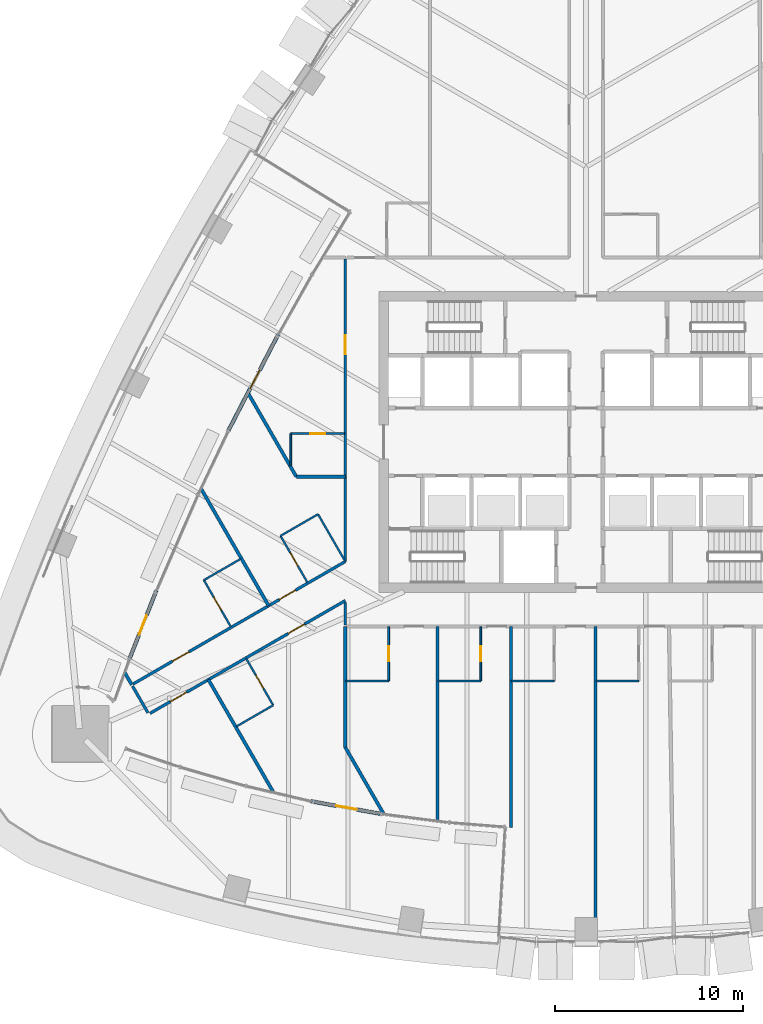
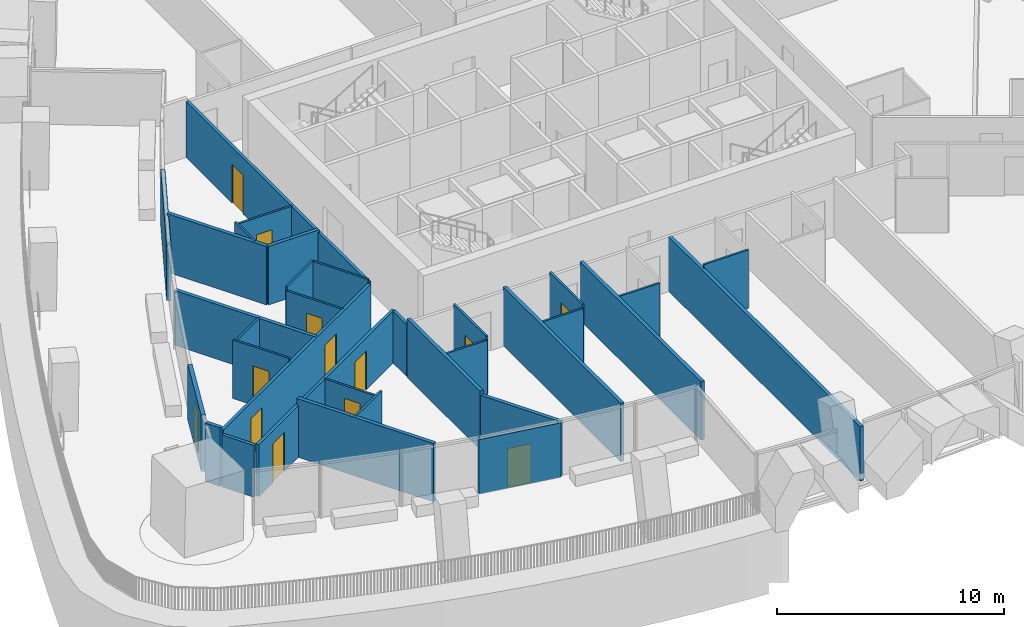
# One storey, part 14 of 24: 33 walls, 14 doors, 14 openings.
"""IFC4 building model written with IfcOpenShell, lengths in metres."""

from ifc_helpers import new_model, si_unit, direction, frame, frame_2d, origin, place, context, subcontext, project, spatial, rectangle, extrude, material, layer, layer_set, type_object, element, fill, save


model = new_model("IFC4")

# Units and contexts
model_context = context("Model", 3, precision=1e-05, world=origin(), true_north=direction((0.0, 1.0)))
body_context = subcontext(model_context, "Body", "Model", "MODEL_VIEW")
ifc_project = project(units=[si_unit("LENGTHUNIT", "METRE"), si_unit("AREAUNIT", "SQUARE_METRE"), si_unit("VOLUMEUNIT", "CUBIC_METRE"), si_unit("PLANEANGLEUNIT", "RADIAN"), si_unit("MASSUNIT", "GRAM", prefix="KILO")], contexts=[model_context])

# Site, building, storey
site_placement = place(None, origin())
site = spatial("IfcSite", under=ifc_project, at=site_placement, CompositionType="ELEMENT")
building_placement = place(site_placement, origin())
building = spatial("IfcBuilding", under=site, at=building_placement, Name="Sierra Prisma Convention Tower", CompositionType="ELEMENT")
storey_placement = place(building_placement, frame((0.0, 0.0, 59.10009765625)))
storey = spatial("IfcBuildingStorey", under=building, at=storey_placement, Name="L10", CompositionType="ELEMENT", Elevation=59.10009765625)

# Wall, opening, door
ifc_material_1 = material(Name="Gypsum board partition", Category="gypsum")
ifc_layer_1 = layer(ifc_material_1, 0.10009765625)
ifc_layer_set_1 = layer_set([ifc_layer_1], Name="Bathroom partition 100")
wall_type_1 = type_object("IfcWallType", Name="Bathroom partition 100", PredefinedType="PARTITIONING", material=ifc_layer_set_1)
wall_1_placement = place(storey_placement, frame((-18.880126953125, -9.826416015625, 0.0), z_axis=(0.0, 0.0, 1.0), x_axis=(-0.500036638401, 0.866004249561, 0.0)))
wall_1 = element("IfcWall", 1, at=wall_1_placement, inside=storey, type_object=wall_type_1, Name="Partition L10 bath 1", PredefinedType="PARTITIONING", context=body_context, shape_type="SweptSolid", body=[
    extrude(rectangle(XDim=2.869873046875, YDim=0.10009765625, at=frame_2d((1.43505859375, 0.0))), origin(), (0.0, 0.0, 1.0), 3.14990234375),
])
opening_1_placement = place(wall_1_placement, frame((1.034912109375, 0.0, 0.0)))
opening_1 = element("IfcOpeningElement", 2, at=opening_1_placement, cuts=wall_1, Name="Opening L10-D010", PredefinedType="OPENING", context=body_context, shape_type="SweptSolid", body=[
    extrude(rectangle(XDim=0.800048828125, YDim=2.10009765625, at=frame_2d((0.39990234375, 1.050048828125))), frame((0.0, 0.050048828125, 0.0), z_axis=(0.0, -1.0, 0.0), x_axis=(1.0, 0.0, 0.0)), (0.0, 0.0, 1.0), 0.10009765625),
])
ifc_material_2 = material(Name="Solid core timber door leaf", Category="wood")
door_type_1 = type_object("IfcDoorType", Name="Door 800x2100 plain", OperationType="SINGLE_SWING_LEFT", PredefinedType="DOOR", material=ifc_material_2)
door_1_placement = place(opening_1_placement, origin())
door_1 = element("IfcDoor", 3, at=door_1_placement, inside=storey, type_object=door_type_1, Name="Door L10 16", OperationType="SINGLE_SWING_RIGHT", OverallHeight=2.10009765625, OverallWidth=0.800048828125, PredefinedType="DOOR", context=body_context, shape_type="SweptSolid", body=[
    extrude(rectangle(XDim=0.800048828125, YDim=2.10009765625, at=frame_2d((0.39990234375, 1.050048828125))), frame((0.0, 0.02490234375, 0.0), z_axis=(0.0, -1.0, 0.0), x_axis=(1.0, 0.0, 0.0)), (0.0, 0.0, 1.0), 0.050048828125),
])
fill(opening_1, door_1)

# Wall
wall_2_placement = place(storey_placement, frame((-20.315185546875, -7.341064453125, 0.0), z_axis=(0.0, 0.0, 1.0), x_axis=(0.866044110172, 0.499967598186, 0.0)))
element("IfcWall", 4, at=wall_2_placement, inside=storey, type_object=wall_type_1, Name="Partition L10 bath 2", PredefinedType="PARTITIONING", context=body_context, shape_type="SweptSolid", body=[
    extrude(rectangle(XDim=2.270263671875, YDim=0.10009765625, at=frame_2d((1.13525390625, 0.0))), origin(), (0.0, 0.0, 1.0), 2.947021484375),
])

# Wall, opening, door
wall_3_placement = place(storey_placement, frame((-18.06787109375, -11.50537109375, 0.0), z_axis=(0.0, 0.0, 1.0), x_axis=(0.500036638401, -0.866004249561, 0.0)))
wall_3 = element("IfcWall", 5, at=wall_3_placement, inside=storey, type_object=wall_type_1, Name="Partition L10 bath 3", PredefinedType="PARTITIONING", context=body_context, shape_type="SweptSolid", body=[
    extrude(rectangle(XDim=2.869873046875, YDim=0.10009765625, at=frame_2d((1.43505859375, 0.0))), origin(), (0.0, 0.0, 1.0), 2.796875),
])
opening_2_placement = place(wall_3_placement, frame((1.034912109375, 0.0, 0.0)))
opening_2 = element("IfcOpeningElement", 6, at=opening_2_placement, cuts=wall_3, Name="Opening L10-D011", PredefinedType="OPENING", context=body_context, shape_type="SweptSolid", body=[
    extrude(rectangle(XDim=0.800048828125, YDim=2.10009765625, at=frame_2d((0.39990234375, 1.050048828125))), frame((0.0, 0.050048828125, 0.0), z_axis=(0.0, -1.0, 0.0), x_axis=(1.0, 0.0, 0.0)), (0.0, 0.0, 1.0), 0.10009765625),
])
door_2_placement = place(opening_2_placement, origin())
door_2 = element("IfcDoor", 7, at=door_2_placement, inside=storey, type_object=door_type_1, Name="Door L10 19", OperationType="SINGLE_SWING_RIGHT", OverallHeight=2.10009765625, OverallWidth=0.800048828125, PredefinedType="DOOR", context=body_context, shape_type="SweptSolid", body=[
    extrude(rectangle(XDim=0.800048828125, YDim=2.10009765625, at=frame_2d((0.39990234375, 1.050048828125))), frame((0.0, 0.02490234375, 0.0), z_axis=(0.0, -1.0, 0.0), x_axis=(1.0, 0.0, 0.0)), (0.0, 0.0, 1.0), 0.050048828125),
])
fill(opening_2, door_2)

# Walls
wall_4_placement = place(storey_placement, frame((-16.6328125, -13.99072265625, 0.0), z_axis=(0.0, 0.0, 1.0), x_axis=(-0.866017224141, -0.500014167291, 0.0)))
element("IfcWall", 8, at=wall_4_placement, inside=storey, type_object=wall_type_1, Name="Partition L10 bath 4", PredefinedType="PARTITIONING", context=body_context, shape_type="SweptSolid", body=[
    extrude(rectangle(XDim=2.27001953125, YDim=0.10009765625, at=frame_2d((1.135009765625, 0.0))), origin(), (0.0, 0.0, 1.0), 3.14990234375),
])
wall_5_placement = place(storey_placement, frame((-15.699951171875, -1.267822265625, 0.0), z_axis=(0.0, 0.0, 1.0), x_axis=(0.0, 1.0, 0.0)))
element("IfcWall", 9, at=wall_5_placement, inside=storey, type_object=wall_type_1, Name="Partition L10 bath 5", PredefinedType="PARTITIONING", context=body_context, shape_type="SweptSolid", body=[
    extrude(rectangle(XDim=1.717041015625, YDim=0.10009765625, at=frame_2d((0.8583984375, 0.0))), origin(), (0.0, 0.0, 1.0), 3.14990234375),
])

# Wall, opening, door
wall_6_placement = place(storey_placement, frame((-15.699951171875, 0.44921875, 0.0), z_axis=(0.0, 0.0, 1.0), x_axis=(1.0, 0.0, 0.0)))
wall_6 = element("IfcWall", 10, at=wall_6_placement, inside=storey, type_object=wall_type_1, Name="Partition L10 bath 6", PredefinedType="PARTITIONING", context=body_context, shape_type="SweptSolid", body=[
    extrude(rectangle(XDim=2.869873046875, YDim=0.10009765625, at=frame_2d((1.43505859375, 0.0))), origin(), (0.0, 0.0, 1.0), 3.016845703125),
])
opening_3_placement = place(wall_6_placement, frame((1.034912109375, 0.0, 0.0)))
opening_3 = element("IfcOpeningElement", 11, at=opening_3_placement, cuts=wall_6, Name="Opening L10-D008", PredefinedType="OPENING", context=body_context, shape_type="SweptSolid", body=[
    extrude(rectangle(XDim=0.800048828125, YDim=2.10009765625, at=frame_2d((0.39990234375, 1.050048828125))), frame((0.0, 0.050048828125, 0.0), z_axis=(0.0, -1.0, 0.0), x_axis=(1.0, 0.0, 0.0)), (0.0, 0.0, 1.0), 0.10009765625),
])
door_3_placement = place(opening_3_placement, origin())
door_3 = element("IfcDoor", 12, at=door_3_placement, inside=storey, type_object=door_type_1, Name="Door L10 12", OperationType="SINGLE_SWING_LEFT", OverallHeight=2.10009765625, OverallWidth=0.800048828125, PredefinedType="DOOR", context=body_context, shape_type="SweptSolid", body=[
    extrude(rectangle(XDim=0.800048828125, YDim=2.10009765625, at=frame_2d((0.39990234375, 1.050048828125))), frame((0.0, 0.02490234375, 0.0), z_axis=(0.0, -1.0, 0.0), x_axis=(1.0, 0.0, 0.0)), (0.0, 0.0, 1.0), 0.050048828125),
])
fill(opening_3, door_3)

wall_7_placement = place(storey_placement, frame((-14.806884765625, -7.474853515625, 0.0), z_axis=(0.0, 0.0, 1.0), x_axis=(-0.500036638401, 0.866004249561, 0.0)))
wall_7 = element("IfcWall", 13, at=wall_7_placement, inside=storey, type_object=wall_type_1, Name="Partition L10 bath 7", PredefinedType="PARTITIONING", context=body_context, shape_type="SweptSolid", body=[
    extrude(rectangle(XDim=2.869873046875, YDim=0.10009765625, at=frame_2d((1.43505859375, 0.0))), origin(), (0.0, 0.0, 1.0), 2.947021484375),
])
opening_4_placement = place(wall_7_placement, frame((1.034912109375, 0.0, 0.0)))
opening_4 = element("IfcOpeningElement", 14, at=opening_4_placement, cuts=wall_7, Name="Opening L10-D009", PredefinedType="OPENING", context=body_context, shape_type="SweptSolid", body=[
    extrude(rectangle(XDim=0.800048828125, YDim=2.10009765625, at=frame_2d((0.39990234375, 1.050048828125))), frame((0.0, 0.050048828125, 0.0), z_axis=(0.0, -1.0, 0.0), x_axis=(1.0, 0.0, 0.0)), (0.0, 0.0, 1.0), 0.10009765625),
])
door_4_placement = place(opening_4_placement, origin())
door_4 = element("IfcDoor", 15, at=door_4_placement, inside=storey, type_object=door_type_1, Name="Door L10 14", OperationType="SINGLE_SWING_RIGHT", OverallHeight=2.10009765625, OverallWidth=0.800048828125, PredefinedType="DOOR", context=body_context, shape_type="SweptSolid", body=[
    extrude(rectangle(XDim=0.800048828125, YDim=2.10009765625, at=frame_2d((0.39990234375, 1.050048828125))), frame((0.0, 0.02490234375, 0.0), z_axis=(0.0, -1.0, 0.0), x_axis=(1.0, 0.0, 0.0)), (0.0, 0.0, 1.0), 0.050048828125),
])
fill(opening_4, door_4)

# Walls
wall_8_placement = place(storey_placement, frame((-16.241943359375, -4.989501953125, 0.0), z_axis=(0.0, 0.0, 1.0), x_axis=(0.866007057882, 0.500031774688, 0.0)))
element("IfcWall", 16, at=wall_8_placement, inside=storey, type_object=wall_type_1, Name="Partition L10 bath 8", PredefinedType="PARTITIONING", context=body_context, shape_type="SweptSolid", body=[
    extrude(rectangle(XDim=2.300048828125, YDim=0.10009765625, at=frame_2d((1.14990234375, 0.0))), origin(), (0.0, 0.0, 1.0), 3.14990234375),
])
wall_9_placement = place(storey_placement, frame((-14.25, -3.83935546875, 0.0), z_axis=(0.0, 0.0, 1.0), x_axis=(0.499985389037, -0.866033839264, 0.0)))
element("IfcWall", 17, at=wall_9_placement, inside=storey, type_object=wall_type_1, Name="Partition L10 bath 9", PredefinedType="PARTITIONING", context=body_context, shape_type="SweptSolid", body=[
    extrude(rectangle(XDim=2.83984375, YDim=0.10009765625, at=frame_2d((1.419921875, 0.0))), origin(), (0.0, 0.0, 1.0), 3.14990234375),
])

# Wall, opening, door
wall_10_placement = place(storey_placement, frame((-10.5, -9.830078125, 0.0), z_axis=(0.0, 0.0, 1.0), x_axis=(0.0, -1.0, 0.0)))
wall_10 = element("IfcWall", 18, at=wall_10_placement, inside=storey, type_object=wall_type_1, Name="Partition L10 bath 10", PredefinedType="PARTITIONING", context=body_context, shape_type="SweptSolid", body=[
    extrude(rectangle(XDim=2.869873046875, YDim=0.10009765625, at=frame_2d((1.43505859375, 0.0))), origin(), (0.0, 0.0, 1.0), 3.14990234375),
])
opening_5_placement = place(wall_10_placement, frame((1.034912109375, 0.0, 0.0)))
opening_5 = element("IfcOpeningElement", 19, at=opening_5_placement, cuts=wall_10, Name="Opening L10-D012", PredefinedType="OPENING", context=body_context, shape_type="SweptSolid", body=[
    extrude(rectangle(XDim=0.800048828125, YDim=2.10009765625, at=frame_2d((0.39990234375, 1.050048828125))), frame((0.0, 0.050048828125, 0.0), z_axis=(0.0, -1.0, 0.0), x_axis=(1.0, 0.0, 0.0)), (0.0, 0.0, 1.0), 0.10009765625),
])
door_5_placement = place(opening_5_placement, origin())
door_5 = element("IfcDoor", 20, at=door_5_placement, inside=storey, type_object=door_type_1, Name="Door L10 21", OperationType="SINGLE_SWING_RIGHT", OverallHeight=2.10009765625, OverallWidth=0.800048828125, PredefinedType="DOOR", context=body_context, shape_type="SweptSolid", body=[
    extrude(rectangle(XDim=0.800048828125, YDim=2.10009765625, at=frame_2d((0.39990234375, 1.050048828125))), frame((0.0, 0.02490234375, 0.0), z_axis=(0.0, -1.0, 0.0), x_axis=(1.0, 0.0, 0.0)), (0.0, 0.0, 1.0), 0.050048828125),
])
fill(opening_5, door_5)

# Wall
wall_11_placement = place(storey_placement, frame((-10.5, -12.699951171875, 0.0), z_axis=(0.0, 0.0, 1.0), x_axis=(-1.0, 0.0, 0.0)))
element("IfcWall", 21, at=wall_11_placement, inside=storey, type_object=wall_type_1, Name="Partition L10 bath 11", PredefinedType="PARTITIONING", context=body_context, shape_type="SweptSolid", body=[
    extrude(rectangle(XDim=2.27001953125, YDim=0.10009765625, at=frame_2d((1.135009765625, 0.0))), origin(), (0.0, 0.0, 1.0), 2.947021484375),
])

# Wall, opening, door
wall_12_placement = place(storey_placement, frame((-5.60009765625, -9.830078125, 0.0), z_axis=(0.0, 0.0, 1.0), x_axis=(0.0, -1.0, 0.0)))
wall_12 = element("IfcWall", 22, at=wall_12_placement, inside=storey, type_object=wall_type_1, Name="Partition L10 bath 14", PredefinedType="PARTITIONING", context=body_context, shape_type="SweptSolid", body=[
    extrude(rectangle(XDim=2.869873046875, YDim=0.10009765625, at=frame_2d((1.43505859375, 0.0))), origin(), (0.0, 0.0, 1.0), 3.14990234375),
])
opening_6_placement = place(wall_12_placement, frame((1.034912109375, 0.0, 0.0)))
opening_6 = element("IfcOpeningElement", 23, at=opening_6_placement, cuts=wall_12, Name="Opening L10-D013", PredefinedType="OPENING", context=body_context, shape_type="SweptSolid", body=[
    extrude(rectangle(XDim=0.800048828125, YDim=2.10009765625, at=frame_2d((0.39990234375, 1.050048828125))), frame((0.0, 0.050048828125, 0.0), z_axis=(0.0, -1.0, 0.0), x_axis=(1.0, 0.0, 0.0)), (0.0, 0.0, 1.0), 0.10009765625),
])
door_6_placement = place(opening_6_placement, origin())
door_6 = element("IfcDoor", 24, at=door_6_placement, inside=storey, type_object=door_type_1, Name="Door L10 23", OperationType="SINGLE_SWING_RIGHT", OverallHeight=2.10009765625, OverallWidth=0.800048828125, PredefinedType="DOOR", context=body_context, shape_type="SweptSolid", body=[
    extrude(rectangle(XDim=0.800048828125, YDim=2.10009765625, at=frame_2d((0.39990234375, 1.050048828125))), frame((0.0, 0.02490234375, 0.0), z_axis=(0.0, -1.0, 0.0), x_axis=(1.0, 0.0, 0.0)), (0.0, 0.0, 1.0), 0.050048828125),
])
fill(opening_6, door_6)

# Walls
for number, where, z_axis, x_axis, name in (
    (25, (-5.60009765625, -12.699951171875, 0.0), (0.0, 0.0, 1.0), (-1.0, 0.0, 0.0), "Partition L10 bath 15"),
    (26, (-1.699951171875, -12.699951171875, 0.0), (0.0, 0.0, 1.0), (-1.0, 0.0, 0.0), "Partition L10 bath 17"),
):
    element("IfcWall", number, at=place(storey_placement, frame(where, z_axis=z_axis, x_axis=x_axis)), inside=storey, type_object=wall_type_1, Name=name, PredefinedType="PARTITIONING", context=body_context, shape_type="SweptSolid", body=[
        extrude(rectangle(XDim=2.27001953125, YDim=0.10009765625, at=frame_2d((1.135009765625, 0.0))), origin(), (0.0, 0.0, 1.0), 2.947021484375),
    ])
wall_13_placement = place(storey_placement, frame((2.800048828125, -12.699951171875, 0.0), z_axis=(0.0, 0.0, 1.0), x_axis=(-1.0, 0.0, 0.0)))
element("IfcWall", 27, at=wall_13_placement, inside=storey, type_object=wall_type_1, Name="Partition L10 bath 22", PredefinedType="PARTITIONING", context=body_context, shape_type="SweptSolid", body=[
    extrude(rectangle(XDim=2.27001953125, YDim=0.10009765625, at=frame_2d((1.135009765625, 0.0))), origin(), (0.0, 0.0, 1.0), 3.14990234375),
])
ifc_material_3 = material(Name="Gypsum board partition", Category="gypsum")
ifc_layer_2 = layer(ifc_material_3, 0.14990234375)
ifc_layer_set_2 = layer_set([ifc_layer_2], Name="Corridor wall 150 gypsum EI 60")
wall_type_2 = type_object("IfcWallType", Name="Corridor wall 150 gypsum EI 60", PredefinedType="PARTITIONING", material=ifc_layer_set_2)
wall_14_placement = place(storey_placement, frame((-24.10791015625, -12.9716796875, 0.0), z_axis=(0.0, 0.0, 1.0), x_axis=(0.499997335587, -0.866026942079, 0.0)))
element("IfcWall", 28, at=wall_14_placement, inside=storey, type_object=wall_type_2, Name="Partition L10 corr 1", PredefinedType="PARTITIONING", context=body_context, shape_type="SweptSolid", body=[
    extrude(rectangle(XDim=1.64013671875, YDim=0.14990234375, at=frame_2d((0.820068359375, 0.0))), origin(), (0.0, 0.0, 1.0), 2.796875),
])

# Wall, opening, door
wall_15_placement = place(storey_placement, frame((-12.800048828125, 9.719970703125, 0.0), z_axis=(0.0, 0.0, 1.0), x_axis=(0.0, -1.0, 0.0)))
wall_15 = element("IfcWall", 29, at=wall_15_placement, inside=storey, type_object=wall_type_2, Name="Partition L10 corr 2", PredefinedType="PARTITIONING", context=body_context, shape_type="SweptSolid", body=[
    extrude(rectangle(XDim=16.07080078125, YDim=0.14990234375, at=frame_2d((8.035400390625, 0.0))), origin(), (0.0, 0.0, 1.0), 3.016845703125),
])
opening_7_placement = place(wall_15_placement, frame((4.04541015625, 0.0, 0.0)))
opening_7 = element("IfcOpeningElement", 30, at=opening_7_placement, cuts=wall_15, Name="Opening L10-D048", PredefinedType="OPENING", context=body_context, shape_type="SweptSolid", body=[
    extrude(rectangle(XDim=1.0, YDim=2.10009765625, at=frame_2d((0.5, 1.050048828125))), frame((0.0, 0.074951171875, 0.0), z_axis=(0.0, -1.0, 0.0), x_axis=(1.0, 0.0, 0.0)), (0.0, 0.0, 1.0), 0.14990234375),
])
ifc_material_4 = material(Name="Steel fire door leaf", Category="steel")
door_type_2 = type_object("IfcDoorType", Name="Door 1000x2100 FD30S", OperationType="SINGLE_SWING_LEFT", PredefinedType="DOOR", material=ifc_material_4)
door_7_placement = place(opening_7_placement, origin())
door_7 = element("IfcDoor", 31, at=door_7_placement, inside=storey, type_object=door_type_2, Name="Door L10 11", OperationType="SINGLE_SWING_RIGHT", OverallHeight=2.10009765625, OverallWidth=1.0, PredefinedType="DOOR", context=body_context, shape_type="SweptSolid", body=[
    extrude(rectangle(XDim=1.0, YDim=2.10009765625, at=frame_2d((0.5, 1.050048828125))), frame((0.0, 0.02490234375, 0.0), z_axis=(0.0, -1.0, 0.0), x_axis=(1.0, 0.0, 0.0)), (0.0, 0.0, 1.0), 0.050048828125),
])
fill(opening_7, door_7)

# Wall, openings, doors
wall_16_placement = place(storey_placement, frame((-12.800048828125, -6.350830078125, 0.0), z_axis=(0.0, 0.0, 1.0), x_axis=(-0.866024189303, -0.500002103537, 0.0)))
wall_16 = element("IfcWall", 32, at=wall_16_placement, inside=storey, type_object=wall_type_2, Name="Partition L10 corr 3", PredefinedType="PARTITIONING", context=body_context, shape_type="SweptSolid", body=[
    extrude(rectangle(XDim=13.0234375, YDim=0.14990234375, at=frame_2d((6.51171875, 0.0))), origin(), (0.0, 0.0, 1.0), 2.947021484375),
])
opening_8_placement = place(wall_16_placement, frame((3.051513671875, 0.0, 0.0)))
opening_8 = element("IfcOpeningElement", 33, at=opening_8_placement, cuts=wall_16, Name="Opening L10-D049", PredefinedType="OPENING", context=body_context, shape_type="SweptSolid", body=[
    extrude(rectangle(XDim=1.0, YDim=2.10009765625, at=frame_2d((0.5, 1.050048828125))), frame((0.0, 0.074951171875, 0.0), z_axis=(0.0, -1.0, 0.0), x_axis=(1.0, 0.0, 0.0)), (0.0, 0.0, 1.0), 0.14990234375),
])
opening_9_placement = place(wall_16_placement, frame((9.603271484375, 0.0, 0.0)))
opening_9 = element("IfcOpeningElement", 34, at=opening_9_placement, cuts=wall_16, Name="Opening L10-D050", PredefinedType="OPENING", context=body_context, shape_type="SweptSolid", body=[
    extrude(rectangle(XDim=1.0, YDim=2.10009765625, at=frame_2d((0.5, 1.050048828125))), frame((0.0, 0.074951171875, 0.0), z_axis=(0.0, -1.0, 0.0), x_axis=(1.0, 0.0, 0.0)), (0.0, 0.0, 1.0), 0.14990234375),
])
door_8_placement = place(opening_8_placement, origin())
door_8 = element("IfcDoor", 35, at=door_8_placement, inside=storey, type_object=door_type_2, Name="Door L10 13", OperationType="SINGLE_SWING_LEFT", OverallHeight=2.10009765625, OverallWidth=1.0, PredefinedType="DOOR", context=body_context, shape_type="SweptSolid", body=[
    extrude(rectangle(XDim=1.0, YDim=2.10009765625, at=frame_2d((0.5, 1.050048828125))), frame((0.0, 0.02490234375, 0.0), z_axis=(0.0, -1.0, 0.0), x_axis=(1.0, 0.0, 0.0)), (0.0, 0.0, 1.0), 0.050048828125),
])
fill(opening_8, door_8)
door_9_placement = place(opening_9_placement, origin())
door_9 = element("IfcDoor", 36, at=door_9_placement, inside=storey, type_object=door_type_2, Name="Door L10 15", OperationType="SINGLE_SWING_LEFT", OverallHeight=2.10009765625, OverallWidth=1.0, PredefinedType="DOOR", context=body_context, shape_type="SweptSolid", body=[
    extrude(rectangle(XDim=1.0, YDim=2.10009765625, at=frame_2d((0.5, 1.050048828125))), frame((0.0, 0.02490234375, 0.0), z_axis=(0.0, -1.0, 0.0), x_axis=(1.0, 0.0, 0.0)), (0.0, 0.0, 1.0), 0.050048828125),
])
fill(opening_9, door_9)

wall_17_placement = place(storey_placement, frame((-23.178466796875, -14.42138671875, 0.0), z_axis=(0.0, 0.0, 1.0), x_axis=(0.866017993231, 0.500012835235, 0.0)))
wall_17 = element("IfcWall", 37, at=wall_17_placement, inside=storey, type_object=wall_type_2, Name="Partition L10 corr 4", PredefinedType="PARTITIONING", context=body_context, shape_type="SweptSolid", body=[
    extrude(rectangle(XDim=11.984130859375, YDim=0.14990234375, at=frame_2d((5.9921875, 0.0))), origin(), (0.0, 0.0, 1.0), 2.796875),
])
opening_10_placement = place(wall_17_placement, frame((1.252197265625, 0.0, 0.0)))
opening_10 = element("IfcOpeningElement", 38, at=opening_10_placement, cuts=wall_17, Name="Opening L10-D051", PredefinedType="OPENING", context=body_context, shape_type="SweptSolid", body=[
    extrude(rectangle(XDim=1.0, YDim=2.10009765625, at=frame_2d((0.5, 1.050048828125))), frame((0.0, 0.074951171875, 0.0), z_axis=(0.0, -1.0, 0.0), x_axis=(1.0, 0.0, 0.0)), (0.0, 0.0, 1.0), 0.14990234375),
])
opening_11_placement = place(wall_17_placement, frame((8.484130859375, 0.0, 0.0)))
opening_11 = element("IfcOpeningElement", 39, at=opening_11_placement, cuts=wall_17, Name="Opening L10-D052", PredefinedType="OPENING", context=body_context, shape_type="SweptSolid", body=[
    extrude(rectangle(XDim=1.0, YDim=2.10009765625, at=frame_2d((0.5, 1.050048828125))), frame((0.0, 0.074951171875, 0.0), z_axis=(0.0, -1.0, 0.0), x_axis=(1.0, 0.0, 0.0)), (0.0, 0.0, 1.0), 0.14990234375),
])
door_10_placement = place(opening_10_placement, origin())
door_10 = element("IfcDoor", 40, at=door_10_placement, inside=storey, type_object=door_type_2, Name="Door L10 17", OperationType="SINGLE_SWING_LEFT", OverallHeight=2.10009765625, OverallWidth=1.0, PredefinedType="DOOR", context=body_context, shape_type="SweptSolid", body=[
    extrude(rectangle(XDim=1.0, YDim=2.10009765625, at=frame_2d((0.5, 1.050048828125))), frame((0.0, 0.02490234375, 0.0), z_axis=(0.0, -1.0, 0.0), x_axis=(1.0, 0.0, 0.0)), (0.0, 0.0, 1.0), 0.050048828125),
])
fill(opening_10, door_10)
door_11_placement = place(opening_11_placement, origin())
door_11 = element("IfcDoor", 41, at=door_11_placement, inside=storey, type_object=door_type_2, Name="Door L10 18", OperationType="SINGLE_SWING_LEFT", OverallHeight=2.10009765625, OverallWidth=1.0, PredefinedType="DOOR", context=body_context, shape_type="SweptSolid", body=[
    extrude(rectangle(XDim=1.0, YDim=2.10009765625, at=frame_2d((0.5, 1.050048828125))), frame((0.0, 0.02490234375, 0.0), z_axis=(0.0, -1.0, 0.0), x_axis=(1.0, 0.0, 0.0)), (0.0, 0.0, 1.0), 0.050048828125),
])
fill(opening_11, door_11)

# Walls
wall_18_placement = place(storey_placement, frame((-12.800048828125, -8.52099609375, 0.0), z_axis=(0.0, 0.0, 1.0), x_axis=(0.0, -1.0, 0.0)))
element("IfcWall", 42, at=wall_18_placement, inside=storey, type_object=wall_type_2, Name="Partition L10 corr 5", PredefinedType="PARTITIONING", context=body_context, shape_type="SweptSolid", body=[
    extrude(rectangle(XDim=1.198974609375, YDim=0.14990234375, at=frame_2d((0.599609375, 0.0))), origin(), (0.0, 0.0, 1.0), 2.796875),
])
ifc_material_5 = material(Name="Acoustic gypsum board partition", Category="gypsum")
ifc_layer_3 = layer(ifc_material_5, 0.175048828125)
ifc_layer_set_3 = layer_set([ifc_layer_3], Name="Guest room party wall 175 acoustic EI 60")
wall_type_3 = type_object("IfcWallType", Name="Guest room party wall 175 acoustic EI 60", PredefinedType="PARTITIONING", material=ifc_layer_set_3)
wall_19_placement = place(storey_placement, frame((-24.147705078125, -12.902587890625, 0.0), z_axis=(0.0, 0.0, 1.0), x_axis=(-0.499952899918, 0.866052595322, 0.0)))
element("IfcWall", 43, at=wall_19_placement, inside=storey, type_object=wall_type_3, Name="Partition L10 hparty 1", PredefinedType="PARTITIONING", context=body_context, shape_type="SweptSolid", body=[
    extrude(rectangle(XDim=0.76416015625, YDim=0.175048828125, at=frame_2d((0.382080078125, 0.0))), origin(), (0.0, 0.0, 1.0), 3.14990234375),
])
wall_20_placement = place(storey_placement, frame((-16.873291015625, -8.702392578125, 0.0), z_axis=(0.0, 0.0, 1.0), x_axis=(-0.500013876863, 0.866017391826, 0.0)))
element("IfcWall", 44, at=wall_20_placement, inside=storey, type_object=wall_type_3, Name="Partition L10 hparty 2", PredefinedType="PARTITIONING", context=body_context, shape_type="SweptSolid", body=[
    extrude(rectangle(XDim=7.203369140625, YDim=0.175048828125, at=frame_2d((3.6015625, 0.0))), origin(), (0.0, 0.0, 1.0), 2.947021484375),
])
wall_21_placement = place(storey_placement, frame((-16.599609375, -18.648193359375, 0.0), z_axis=(0.0, 0.0, 1.0), x_axis=(-0.500015381182, 0.866016523273, 0.0)))
element("IfcWall", 45, at=wall_21_placement, inside=storey, type_object=wall_type_3, Name="Partition L10 hparty 3", PredefinedType="PARTITIONING", context=body_context, shape_type="SweptSolid", body=[
    extrude(rectangle(XDim=6.949951171875, YDim=0.175048828125, at=frame_2d((3.47509765625, 0.0))), origin(), (0.0, 0.0, 1.0), 3.14990234375),
])
wall_22_placement = place(storey_placement, frame((-12.800048828125, -1.850830078125, 0.0), z_axis=(0.0, 0.0, 1.0), x_axis=(-1.0, 0.0, 0.0)))
element("IfcWall", 46, at=wall_22_placement, inside=storey, type_object=wall_type_3, Name="Partition L10 hparty 4", PredefinedType="PARTITIONING", context=body_context, shape_type="SweptSolid", body=[
    extrude(rectangle(XDim=2.59814453125, YDim=0.175048828125, at=frame_2d((1.299072265625, 0.0))), origin(), (0.0, 0.0, 1.0), 3.14990234375),
])
wall_23_placement = place(storey_placement, frame((-15.398193359375, -1.850830078125, 0.0), z_axis=(0.0, 0.0, 1.0), x_axis=(-0.500028719662, 0.866008821845, 0.0)))
element("IfcWall", 47, at=wall_23_placement, inside=storey, type_object=wall_type_3, Name="Partition L10 hparty 5", PredefinedType="PARTITIONING", context=body_context, shape_type="SweptSolid", body=[
    extrude(rectangle(XDim=5.083251953125, YDim=0.175048828125, at=frame_2d((2.54150390625, 0.0))), origin(), (0.0, 0.0, 1.0), 3.14990234375),
])
wall_24_placement = place(storey_placement, frame((-12.800048828125, -9.800048828125, 0.0), z_axis=(0.0, 0.0, 1.0), x_axis=(0.0, -1.0, 0.0)))
element("IfcWall", 48, at=wall_24_placement, inside=storey, type_object=wall_type_3, Name="Partition L10 hparty 7", PredefinedType="PARTITIONING", context=body_context, shape_type="SweptSolid", body=[
    extrude(rectangle(XDim=6.42919921875, YDim=0.175048828125, at=frame_2d((3.214599609375, 0.0))), origin(), (0.0, 0.0, 1.0), 3.14990234375),
])
wall_25_placement = place(storey_placement, frame((-12.800048828125, -16.229248046875, 0.0), z_axis=(0.0, 0.0, 1.0), x_axis=(0.500009043062, -0.866020182707, 0.0)))
element("IfcWall", 49, at=wall_25_placement, inside=storey, type_object=wall_type_3, Name="Partition L10 hparty 8", PredefinedType="PARTITIONING", context=body_context, shape_type="SweptSolid", body=[
    extrude(rectangle(XDim=4.10498046875, YDim=0.175048828125, at=frame_2d((2.052490234375, 0.0))), origin(), (0.0, 0.0, 1.0), 2.947021484375),
])
wall_26_placement = place(storey_placement, frame((-7.89990234375, -9.800048828125, 0.0), z_axis=(0.0, 0.0, 1.0), x_axis=(0.0, -1.0, 0.0)))
element("IfcWall", 50, at=wall_26_placement, inside=storey, type_object=wall_type_3, Name="Partition L10 hparty 10", PredefinedType="PARTITIONING", context=body_context, shape_type="SweptSolid", body=[
    extrude(rectangle(XDim=10.353759765625, YDim=0.175048828125, at=frame_2d((5.1767578125, 0.0))), origin(), (0.0, 0.0, 1.0), 3.14990234375),
])
wall_27_placement = place(storey_placement, frame((-4.0, -9.800048828125, 0.0), z_axis=(0.0, 0.0, 1.0), x_axis=(0.0, -1.0, 0.0)))
element("IfcWall", 51, at=wall_27_placement, inside=storey, type_object=wall_type_3, Name="Partition L10 hparty 11", PredefinedType="PARTITIONING", context=body_context, shape_type="SweptSolid", body=[
    extrude(rectangle(XDim=10.679443359375, YDim=0.175048828125, at=frame_2d((5.33984375, 0.0))), origin(), (0.0, 0.0, 1.0), 3.14990234375),
])
wall_28_placement = place(storey_placement, frame((0.5, -9.800048828125, 0.0), z_axis=(0.0, 0.0, 1.0), x_axis=(0.0, -1.0, 0.0)))
element("IfcWall", 52, at=wall_28_placement, inside=storey, type_object=wall_type_3, Name="Partition L10 hparty 12", PredefinedType="PARTITIONING", context=body_context, shape_type="SweptSolid", body=[
    extrude(rectangle(XDim=16.918701171875, YDim=0.175048828125, at=frame_2d((8.45947265625, 0.0))), origin(), (0.0, 0.0, 1.0), 2.933837890625),
])

# Wall, opening, door
ifc_material_6 = material(Name="Precast concrete C40/50", Category="concrete")
ifc_layer_4 = layer(ifc_material_6, 0.199951171875)
ifc_layer_set_4 = layer_set([ifc_layer_4], Name="Terrace door pier")
wall_type_4 = type_object("IfcWallType", Name="Terrace door pier", PredefinedType="SOLIDWALL", material=ifc_layer_set_4)
wall_29_placement = place(storey_placement, frame((-16.36279296875, 5.7197265625, 0.0), z_axis=(0.0, 0.0, 1.0), x_axis=(-0.46026588587, -0.887781118466, 0.0)))
wall_29 = element("IfcWall", 53, at=wall_29_placement, inside=storey, type_object=wall_type_4, Name="Terrace door bay L10.3", PredefinedType="SOLIDWALL", context=body_context, shape_type="SweptSolid", body=[
    extrude(rectangle(XDim=5.8369140625, YDim=0.199951171875, at=frame_2d((2.91845703125, 0.0))), origin(), (0.0, 0.0, 1.0), 3.016845703125),
])
opening_12_placement = place(wall_29_placement, frame((2.1337890625, 0.0, 0.0)))
opening_12 = element("IfcOpeningElement", 54, at=opening_12_placement, cuts=wall_29, Name="Opening L10-D001", PredefinedType="OPENING", context=body_context, shape_type="SweptSolid", body=[
    extrude(rectangle(XDim=1.10009765625, YDim=2.10009765625, at=frame_2d((0.550048828125, 1.050048828125))), frame((0.0, 0.10009765625, 0.0), z_axis=(0.0, -1.0, 0.0), x_axis=(1.0, 0.0, 0.0)), (0.0, 0.0, 1.0), 0.199951171875),
])
ifc_material_7 = material(Name="Bronze anodised aluminium and glass", Category="aluminium")
door_type_3 = type_object("IfcDoorType", Name="Terrace door 1100 x 2100", OperationType="SINGLE_SWING_LEFT", PredefinedType="DOOR", material=ifc_material_7)
door_12_placement = place(opening_12_placement, origin())
door_12 = element("IfcDoor", 55, at=door_12_placement, inside=storey, type_object=door_type_3, Name="Terrace door L10.3", OperationType="SINGLE_SWING_LEFT", OverallHeight=2.10009765625, OverallWidth=1.10009765625, PredefinedType="DOOR", context=body_context, shape_type="SweptSolid", body=[
    extrude(rectangle(XDim=1.10009765625, YDim=2.10009765625, at=frame_2d((0.550048828125, 1.050048828125))), frame((0.0, 0.02490234375, 0.0), z_axis=(0.0, -1.0, 0.0), x_axis=(1.0, 0.0, 0.0)), (0.0, 0.0, 1.0), 0.050048828125),
])
fill(opening_12, door_12)

wall_30_placement = place(storey_placement, frame((-22.842041015625, -7.8955078125, 0.0), z_axis=(0.0, 0.0, 1.0), x_axis=(-0.365396207039, -0.930852089153, 0.0)))
wall_30 = element("IfcWall", 56, at=wall_30_placement, inside=storey, type_object=wall_type_4, Name="Terrace door bay L10.6", PredefinedType="SOLIDWALL", context=body_context, shape_type="SweptSolid", body=[
    extrude(rectangle(XDim=3.951416015625, YDim=0.199951171875, at=frame_2d((1.9755859375, 0.0))), origin(), (0.0, 0.0, 1.0), 3.039794921875),
])
opening_13_placement = place(wall_30_placement, frame((1.42578125, 0.0, 0.0)))
opening_13 = element("IfcOpeningElement", 57, at=opening_13_placement, cuts=wall_30, Name="Opening L10-D003", PredefinedType="OPENING", context=body_context, shape_type="SweptSolid", body=[
    extrude(rectangle(XDim=1.10009765625, YDim=2.10009765625, at=frame_2d((0.550048828125, 1.050048828125))), frame((0.0, 0.10009765625, 0.0), z_axis=(0.0, -1.0, 0.0), x_axis=(1.0, 0.0, 0.0)), (0.0, 0.0, 1.0), 0.199951171875),
])
door_13_placement = place(opening_13_placement, origin())
door_13 = element("IfcDoor", 58, at=door_13_placement, inside=storey, type_object=door_type_3, Name="Terrace door L10.6", OperationType="SINGLE_SWING_LEFT", OverallHeight=2.10009765625, OverallWidth=1.10009765625, PredefinedType="DOOR", context=body_context, shape_type="SweptSolid", body=[
    extrude(rectangle(XDim=1.10009765625, YDim=2.10009765625, at=frame_2d((0.550048828125, 1.050048828125))), frame((0.0, 0.02490234375, 0.0), z_axis=(0.0, -1.0, 0.0), x_axis=(1.0, 0.0, 0.0)), (0.0, 0.0, 1.0), 0.050048828125),
])
fill(opening_13, door_13)

wall_31_placement = place(storey_placement, frame((-14.629638671875, -19.09228515625, 0.0), z_axis=(0.0, 0.0, 1.0), x_axis=(0.984154491202, -0.177313105682, 0.0)))
wall_31 = element("IfcWall", 59, at=wall_31_placement, inside=storey, type_object=wall_type_4, Name="Terrace door bay L10.37", PredefinedType="SOLIDWALL", context=body_context, shape_type="SweptSolid", body=[
    extrude(rectangle(XDim=3.840087890625, YDim=0.199951171875, at=frame_2d((1.919921875, 0.0))), origin(), (0.0, 0.0, 1.0), 2.947021484375),
])
opening_14_placement = place(wall_31_placement, frame((1.3701171875, 0.0, 0.0)))
opening_14 = element("IfcOpeningElement", 60, at=opening_14_placement, cuts=wall_31, Name="Opening L10-D002", PredefinedType="OPENING", context=body_context, shape_type="SweptSolid", body=[
    extrude(rectangle(XDim=1.10009765625, YDim=2.10009765625, at=frame_2d((0.550048828125, 1.050048828125))), frame((0.0, 0.10009765625, 0.0), z_axis=(0.0, -1.0, 0.0), x_axis=(1.0, 0.0, 0.0)), (0.0, 0.0, 1.0), 0.199951171875),
])
door_14_placement = place(opening_14_placement, origin())
door_14 = element("IfcDoor", 61, at=door_14_placement, inside=storey, type_object=door_type_3, Name="Terrace door L10.37", OperationType="SINGLE_SWING_RIGHT", OverallHeight=2.10009765625, OverallWidth=1.10009765625, PredefinedType="DOOR", context=body_context, shape_type="SweptSolid", body=[
    extrude(rectangle(XDim=1.10009765625, YDim=2.10009765625, at=frame_2d((0.550048828125, 1.050048828125))), frame((0.0, 0.02490234375, 0.0), z_axis=(0.0, -1.0, 0.0), x_axis=(1.0, 0.0, 0.0)), (0.0, 0.0, 1.0), 0.050048828125),
])
fill(opening_14, door_14)

save(model, "model.ifc")
